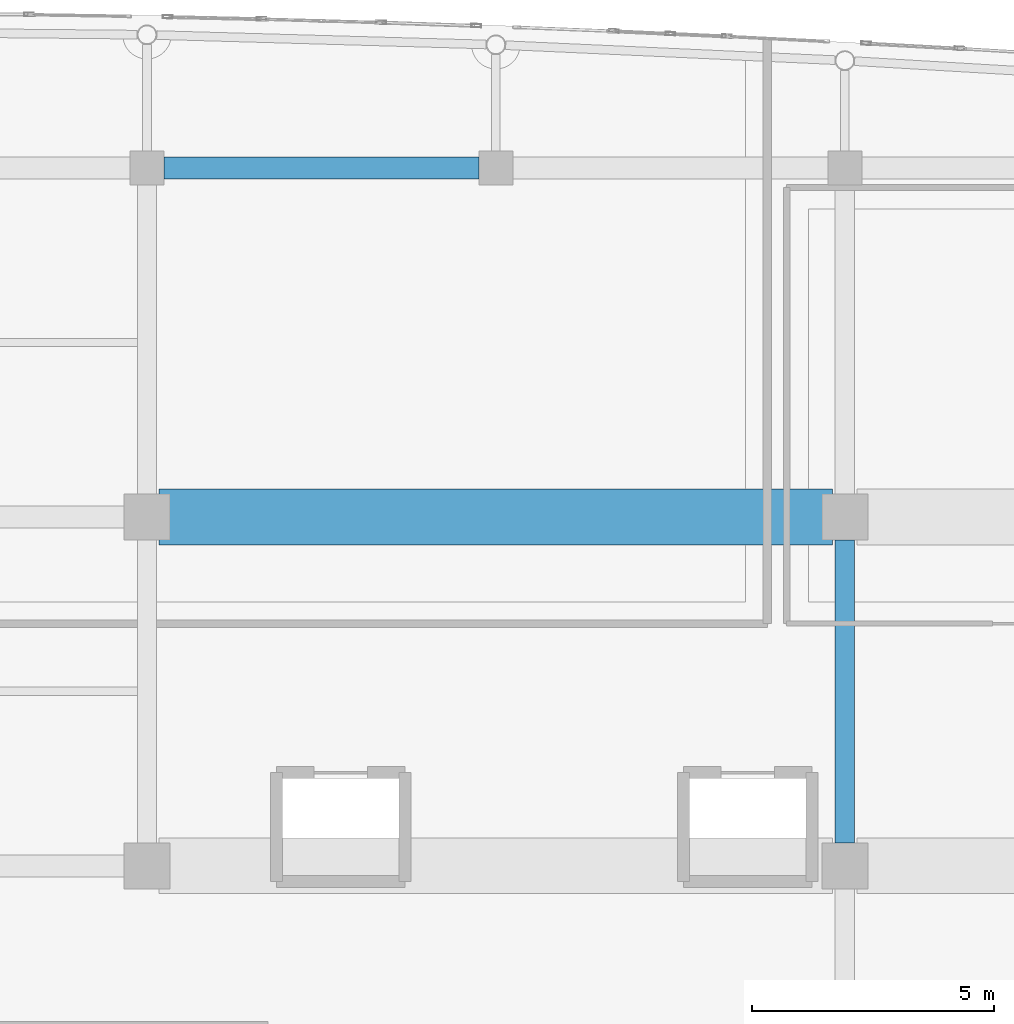
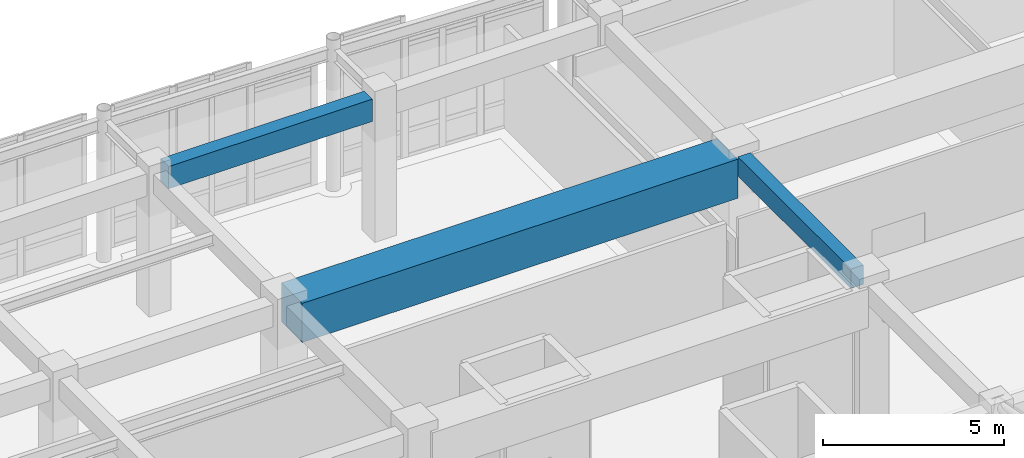
# One storey, part 51 of 117: 3 beams.
"""IFC4 building model written with IfcOpenShell, lengths in metres."""

from ifc_helpers import new_model, si_unit, direction, frame, origin, origin_2d, place, context, subcontext, project, spatial, rectangle, extrude, material, material_profile, profile_set, type_object, element, save


model = new_model("IFC4")

# Units and contexts
model_context = context("Model", 3, precision=1e-05, world=origin(), true_north=direction((0.0, 1.0)))
body_context = subcontext(model_context, "Body", "Model", "MODEL_VIEW")
ifc_project = project(units=[si_unit("LENGTHUNIT", "METRE"), si_unit("AREAUNIT", "SQUARE_METRE"), si_unit("VOLUMEUNIT", "CUBIC_METRE"), si_unit("PLANEANGLEUNIT", "RADIAN"), si_unit("MASSUNIT", "GRAM", prefix="KILO")], contexts=[model_context])

# Site, building, storey
site_placement = place(None, origin())
site = spatial("IfcSite", under=ifc_project, at=site_placement, CompositionType="ELEMENT")
building_placement = place(site_placement, origin())
building = spatial("IfcBuilding", under=site, at=building_placement, Name="Carrowvane Square Congress Hotel", CompositionType="ELEMENT")
storey_placement = place(building_placement, frame((0.0, 0.0, 5.39990234375)))
storey = spatial("IfcBuildingStorey", under=building, at=storey_placement, Name="L01", CompositionType="ELEMENT", Elevation=5.39990234375)

# Beams
ifc_material_1 = material(Name="Concrete C35/45", Category="concrete")
ifc_material_profile_1 = material_profile(ifc_material_1, rectangle(XDim=0.39990234375, YDim=0.64990234375, at=origin_2d()), Name="RC 400x650")
ifc_profile_set_1 = profile_set([ifc_material_profile_1], Name="Concrete C35/45")
beam_type_1 = type_object("IfcBeamType", Name="BM-RC-400x650", PredefinedType="BEAM", material=ifc_profile_set_1)
beam_1_placement = place(storey_placement, frame((119.60009765625, 99.47509765625, 4.455078125), z_axis=(0.0, 1.0, 0.0), x_axis=(-1.0, 0.0, 0.0)))
element("IfcBeam", 1, at=beam_1_placement, inside=storey, type_object=beam_type_1, Name="L02 girder 16/P-Q", PredefinedType="BEAM", context=body_context, shape_type="SweptSolid", body=[
    extrude(rectangle(XDim=0.39990234375, YDim=0.64990234375, at=origin_2d()), origin(), (0.0, 0.0, 1.0), 6.25),
])
ifc_material_2 = material(Name="Concrete C35/45", Category="concrete")
ifc_material_profile_2 = material_profile(ifc_material_2, rectangle(XDim=0.449951171875, YDim=0.75, at=origin_2d()), Name="RC 450x750")
ifc_profile_set_2 = profile_set([ifc_material_profile_2], Name="Concrete C35/45")
beam_type_2 = type_object("IfcBeamType", Name="BM-RC-450x750", PredefinedType="USERDEFINED", material=ifc_profile_set_2)
beam_2_placement = place(storey_placement, frame((105.550048828125, 113.39990234375, 4.405029296875), z_axis=(1.0, 0.0, 0.0), x_axis=(0.0, 1.0, 0.0)))
element("IfcBeam", 2, at=beam_2_placement, inside=storey, type_object=beam_type_2, Name="L02 girder R/14-15", ObjectType="GIRDER", PredefinedType="USERDEFINED", context=body_context, shape_type="SweptSolid", body=[
    extrude(rectangle(XDim=0.449951171875, YDim=0.75, at=origin_2d()), origin(), (0.0, 0.0, 1.0), 6.5),
])
ifc_material_3 = material(Name="Concrete C40/50", Category="concrete")
ifc_material_profile_3 = material_profile(ifc_material_3, rectangle(XDim=1.14990234375, YDim=1.320068359375, at=origin_2d()), Name="RC 1150x1320")
ifc_profile_set_3 = profile_set([ifc_material_profile_3], Name="Concrete C40/50")
beam_type_3 = type_object("IfcBeamType", Name="TG-RC-1000x1650", PredefinedType="USERDEFINED", material=ifc_profile_set_3)
beam_3_placement = place(storey_placement, frame((105.449951171875, 106.199951171875, 4.1201171875), z_axis=(1.0, 0.0, 0.0), x_axis=(0.0, 1.0, 0.0)))
element("IfcBeam", 3, at=beam_3_placement, inside=storey, type_object=beam_type_3, Name="L02 transfer girder 14-16/Q", ObjectType="GIRDER", PredefinedType="USERDEFINED", context=body_context, shape_type="SweptSolid", body=[
    extrude(rectangle(XDim=1.14990234375, YDim=1.320068359375, at=origin_2d()), origin(), (0.0, 0.0, 1.0), 13.900146484375),
])

save(model, "model.ifc")
